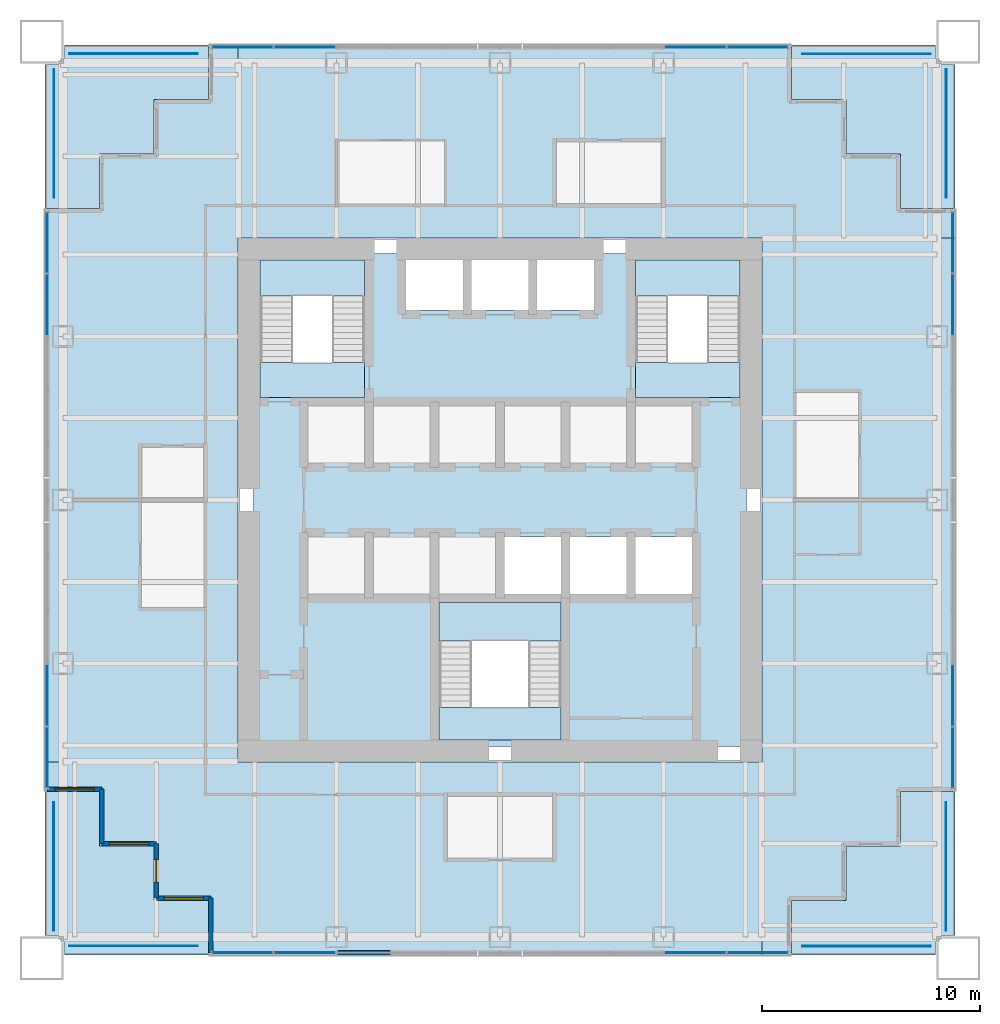
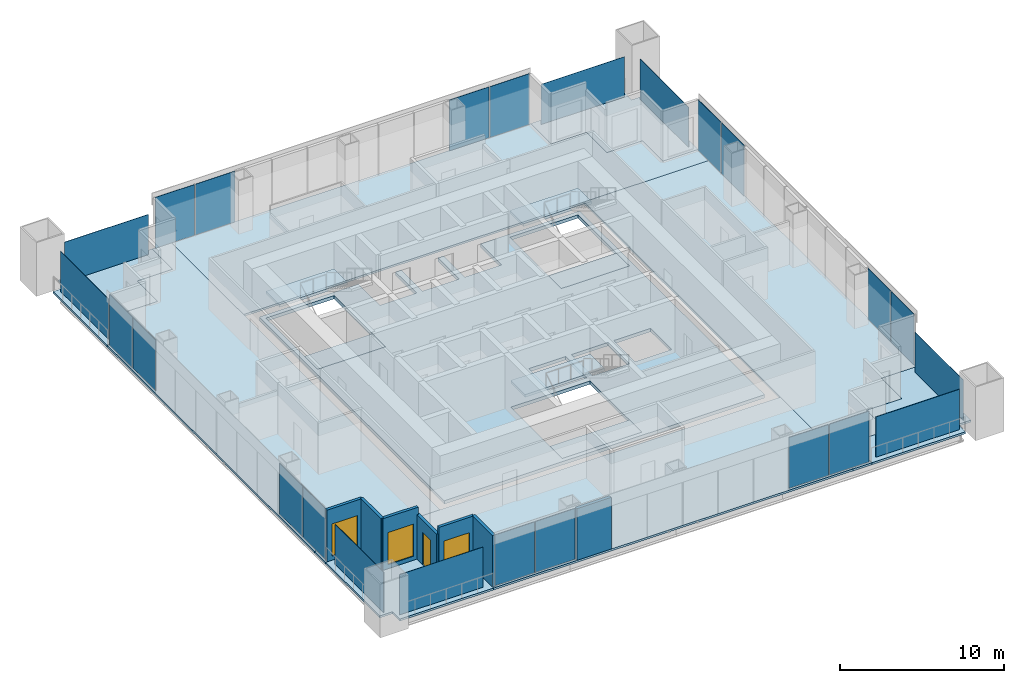
# One storey, part 8 of 14: 24 plates, 15 slabs, 7 walls, 3 windows, 1 door, 4 openings, 11 elements without a shape of their own.
"""IFC4 building model written with IfcOpenShell, lengths in metres."""

from ifc_helpers import new_model, si_unit, direction, frame, frame_2d, origin, origin_2d, place, context, subcontext, project, spatial, polyline, rectangle, outline, extrude, material, layer, layer_set, type_object, element, fill, aggregate, save


model = new_model("IFC4")

# Units and contexts
model_context = context("Model", 3, precision=1e-05, world=origin(), true_north=direction((0.0, 1.0)))
body_context = subcontext(model_context, "Body", "Model", "MODEL_VIEW")
ifc_project = project(units=[si_unit("LENGTHUNIT", "METRE"), si_unit("AREAUNIT", "SQUARE_METRE"), si_unit("VOLUMEUNIT", "CUBIC_METRE"), si_unit("PLANEANGLEUNIT", "RADIAN"), si_unit("MASSUNIT", "GRAM", prefix="KILO")], contexts=[model_context])

# Site, building, storey
site_placement = place(None, origin())
site = spatial("IfcSite", under=ifc_project, at=site_placement, CompositionType="ELEMENT")
building_placement = place(site_placement, origin())
building = spatial("IfcBuilding", under=site, at=building_placement, Name="Tarangal Relay Tower", CompositionType="ELEMENT")
storey_placement = place(building_placement, frame((0.0, 0.0, 279.89990234375)))
storey = spatial("IfcBuildingStorey", under=building, at=storey_placement, Name="L61", CompositionType="ELEMENT", Elevation=279.89990234375)

# Slabs
ifc_material_1 = material(Name="Concrete fc' 35 MPa", Category="concrete")
ifc_layer_1 = layer(ifc_material_1, 0.25)
ifc_layer_set_1 = layer_set([ifc_layer_1], Name="Core floor slab 250")
slab_type_1 = type_object("IfcSlabType", Name="Core floor slab 250", PredefinedType="FLOOR", material=ifc_layer_set_1)
slab_1_placement = place(storey_placement, frame((0.0, 0.0, -0.25)))
element("IfcSlab", 1, at=slab_1_placement, inside=storey, type_object=slab_type_1, Name="Core floor slab L61", PredefinedType="FLOOR", context=body_context, shape_type="SweptSolid", body=[
    extrude(outline(polyline([(11.300048828125, 11.300048828125), (11.300048828125, -11.300048828125), (-11.300048828125, -11.300048828125), (-11.300048828125, 11.300048828125), (-4.300048828125, 11.300048828125), (-4.300048828125, 8.699951171875), (-1.699951171875, 8.699951171875), (-1.699951171875, 11.300048828125), (-1.300048828125, 11.300048828125), (-1.300048828125, 8.699951171875), (1.300048828125, 8.699951171875), (1.300048828125, 11.300048828125), (1.699951171875, 11.300048828125), (1.699951171875, 8.699951171875), (4.300048828125, 8.699951171875), (4.300048828125, 11.300048828125), (11.300048828125, 11.300048828125)]), holes=[polyline([(2.800048828125, -4.699951171875), (-2.800048828125, -4.699951171875), (-2.800048828125, -11.0), (2.800048828125, -11.0), (2.800048828125, -4.699951171875)]), polyline([(2.800048828125, -1.699951171875), (0.199951171875, -1.699951171875), (0.199951171875, -4.300048828125), (2.800048828125, -4.300048828125), (2.800048828125, -1.699951171875)]), polyline([(5.800048828125, -1.699951171875), (3.199951171875, -1.699951171875), (3.199951171875, -4.300048828125), (5.800048828125, -4.300048828125), (5.800048828125, -1.699951171875)]), polyline([(8.800048828125, -1.699951171875), (6.199951171875, -1.699951171875), (6.199951171875, -4.300048828125), (8.800048828125, -4.300048828125), (8.800048828125, -1.699951171875)]), polyline([(-6.199951171875, 11.0), (-11.0, 11.0), (-11.0, 4.699951171875), (-6.199951171875, 4.699951171875), (-6.199951171875, 11.0)]), polyline([(11.0, 11.0), (6.199951171875, 11.0), (6.199951171875, 4.699951171875), (11.0, 4.699951171875), (11.0, 11.0)])]), origin(), (0.0, 0.0, 1.0), 0.25),
])
ifc_layer_2 = layer(ifc_material_1, 0.14990234375)
ifc_layer_set_2 = layer_set([ifc_layer_2], Name="Floor slab 150")
slab_type_2 = type_object("IfcSlabType", Name="Floor slab 150", PredefinedType="FLOOR", material=ifc_layer_set_2)
slab_2_placement = place(storey_placement, frame((0.0, 0.0, -0.14990234375)))
element("IfcSlab", 2, at=slab_2_placement, inside=storey, type_object=slab_type_2, Name="Floor slab FS3 L61 north bay", PredefinedType="FLOOR", context=body_context, shape_type="SweptSolid", body=[
    extrude(outline(polyline([(13.35009765625, 20.85009765625), (13.35009765625, 18.35009765625), (15.85009765625, 18.35009765625), (15.85009765625, 15.85009765625), (18.35009765625, 15.85009765625), (18.35009765625, 13.35009765625), (20.85009765625, 13.35009765625), (20.85009765625, 12.0), (-12.0, 12.0), (-12.0, 20.85009765625), (13.35009765625, 20.85009765625)])), origin(), (0.0, 0.0, 1.0), 0.14990234375),
])
slab_3_placement = place(storey_placement, frame((0.0, 0.0, -0.14990234375)))
element("IfcSlab", 3, at=slab_3_placement, inside=storey, type_object=slab_type_2, Name="Floor slab FS3 L61 east bay", PredefinedType="FLOOR", context=body_context, shape_type="SweptSolid", body=[
    extrude(outline(polyline([(20.85009765625, -13.35009765625), (18.35009765625, -13.35009765625), (18.35009765625, -15.85009765625), (15.85009765625, -15.85009765625), (15.85009765625, -18.35009765625), (13.35009765625, -18.35009765625), (13.35009765625, -20.85009765625), (12.0, -20.85009765625), (12.0, 12.0), (20.85009765625, 12.0), (20.85009765625, -13.35009765625)])), origin(), (0.0, 0.0, 1.0), 0.14990234375),
])
slab_4_placement = place(storey_placement, frame((0.0, 0.0, -0.14990234375)))
element("IfcSlab", 4, at=slab_4_placement, inside=storey, type_object=slab_type_2, Name="Floor slab FS3 L61 south bay", PredefinedType="FLOOR", context=body_context, shape_type="SweptSolid", body=[
    extrude(outline(polyline([(-13.35009765625, -20.85009765625), (-13.35009765625, -18.35009765625), (-15.85009765625, -18.35009765625), (-15.85009765625, -15.85009765625), (-18.35009765625, -15.85009765625), (-18.35009765625, -13.35009765625), (-20.85009765625, -13.35009765625), (-20.85009765625, -12.0), (12.0, -12.0), (12.0, -20.85009765625), (-13.35009765625, -20.85009765625)])), origin(), (0.0, 0.0, 1.0), 0.14990234375),
])
slab_5_placement = place(storey_placement, frame((0.0, 0.0, -0.14990234375)))
element("IfcSlab", 5, at=slab_5_placement, inside=storey, type_object=slab_type_2, Name="Floor slab FS3 L61 west bay", PredefinedType="FLOOR", context=body_context, shape_type="SweptSolid", body=[
    extrude(outline(polyline([(-12.0, 20.85009765625), (-12.0, -12.0), (-20.85009765625, -12.0), (-20.85009765625, 13.35009765625), (-18.35009765625, 13.35009765625), (-18.35009765625, 15.85009765625), (-15.85009765625, 15.85009765625), (-15.85009765625, 18.35009765625), (-13.35009765625, 18.35009765625), (-13.35009765625, 20.85009765625), (-12.0, 20.85009765625)])), origin(), (0.0, 0.0, 1.0), 0.14990234375),
])

# Curtain wall, plates
ifc_material_2 = material(Name="Unitised curtain wall, dark glass and black aluminium", Category="aluminium")
curtain_wall_type = type_object("IfcCurtainWallType", Name="Curtain wall CW-B", PredefinedType="USERDEFINED", material=ifc_material_2)
curtain_wall_1_placement = place(storey_placement, origin())
curtain_wall_1 = element("IfcCurtainWall", 6, at=curtain_wall_1_placement, inside=storey, type_object=curtain_wall_type, Name="Curtain wall CW-B N facade L61", ObjectType="UNITISED CURTAIN WALL", PredefinedType="USERDEFINED")
ifc_material_3 = material(Name="Dark tinted insulated glass unit", Category="glass")
ifc_layer_3 = layer(ifc_material_3, 0.030029296875)
ifc_layer_set_3 = layer_set([ifc_layer_3], Name="Glazed panel CW-B 30")
plate_type_1 = type_object("IfcPlateType", Name="Glazed panel CW-B 30", PredefinedType="CURTAIN_PANEL", material=ifc_layer_set_3)
plate_1_placement = place(storey_placement, frame((-11.797607421875, 20.75, 0.06005859375), z_axis=(0.0, 0.0, 1.0), x_axis=(1.0, 0.0, 0.0)))
plate_1 = element("IfcPlate", 7, at=plate_1_placement, type_object=plate_type_1, Name="CW-B panel 1.1", PredefinedType="CURTAIN_PANEL", context=body_context, shape_type="SweptSolid", body=[
    extrude(rectangle(XDim=2.784912109375, YDim=0.030029296875, at=origin_2d()), origin(), (0.0, 0.0, 1.0), 3.7900390625),
])
plate_2_placement = place(storey_placement, frame((-8.952392578125, 20.75, 0.06005859375), z_axis=(0.0, 0.0, 1.0), x_axis=(1.0, 0.0, 0.0)))
plate_2 = element("IfcPlate", 8, at=plate_2_placement, type_object=plate_type_1, Name="CW-B panel 2.1", PredefinedType="CURTAIN_PANEL", context=body_context, shape_type="SweptSolid", body=[
    extrude(rectangle(XDim=2.784912109375, YDim=0.030029296875, at=origin_2d()), origin(), (0.0, 0.0, 1.0), 3.7900390625),
])
aggregate(curtain_wall_1, [plate_1, plate_2])

curtain_wall_2_placement = place(storey_placement, origin())
curtain_wall_2 = element("IfcCurtainWall", 9, at=curtain_wall_2_placement, inside=storey, type_object=curtain_wall_type, Name="Curtain wall CW-B N facade L61", ObjectType="UNITISED CURTAIN WALL", PredefinedType="USERDEFINED")
plate_3_placement = place(storey_placement, frame((8.952392578125, 20.75, 0.06005859375), z_axis=(0.0, 0.0, 1.0), x_axis=(1.0, 0.0, 0.0)))
plate_3 = element("IfcPlate", 10, at=plate_3_placement, type_object=plate_type_1, Name="CW-B panel 1.1", PredefinedType="CURTAIN_PANEL", context=body_context, shape_type="SweptSolid", body=[
    extrude(rectangle(XDim=2.784912109375, YDim=0.030029296875, at=origin_2d()), origin(), (0.0, 0.0, 1.0), 3.7900390625),
])
plate_4_placement = place(storey_placement, frame((11.797607421875, 20.75, 0.06005859375), z_axis=(0.0, 0.0, 1.0), x_axis=(1.0, 0.0, 0.0)))
plate_4 = element("IfcPlate", 11, at=plate_4_placement, type_object=plate_type_1, Name="CW-B panel 2.1", PredefinedType="CURTAIN_PANEL", context=body_context, shape_type="SweptSolid", body=[
    extrude(rectangle(XDim=2.784912109375, YDim=0.030029296875, at=origin_2d()), origin(), (0.0, 0.0, 1.0), 3.7900390625),
])
aggregate(curtain_wall_2, [plate_3, plate_4])

curtain_wall_3_placement = place(storey_placement, origin())
curtain_wall_3 = element("IfcCurtainWall", 12, at=curtain_wall_3_placement, inside=storey, type_object=curtain_wall_type, Name="Curtain wall CW-B E facade L61", ObjectType="UNITISED CURTAIN WALL", PredefinedType="USERDEFINED")
plate_5_placement = place(storey_placement, frame((20.75, 11.797607421875, 0.06005859375), z_axis=(0.0, 0.0, 1.0), x_axis=(0.0, -1.0, 0.0)))
plate_5 = element("IfcPlate", 13, at=plate_5_placement, type_object=plate_type_1, Name="CW-B panel 1.1", PredefinedType="CURTAIN_PANEL", context=body_context, shape_type="SweptSolid", body=[
    extrude(rectangle(XDim=2.784912109375, YDim=0.030029296875, at=origin_2d()), origin(), (0.0, 0.0, 1.0), 3.7900390625),
])
plate_6_placement = place(storey_placement, frame((20.75, 8.952392578125, 0.06005859375), z_axis=(0.0, 0.0, 1.0), x_axis=(0.0, -1.0, 0.0)))
plate_6 = element("IfcPlate", 14, at=plate_6_placement, type_object=plate_type_1, Name="CW-B panel 2.1", PredefinedType="CURTAIN_PANEL", context=body_context, shape_type="SweptSolid", body=[
    extrude(rectangle(XDim=2.784912109375, YDim=0.030029296875, at=origin_2d()), origin(), (0.0, 0.0, 1.0), 3.7900390625),
])
aggregate(curtain_wall_3, [plate_5, plate_6])

curtain_wall_4_placement = place(storey_placement, origin())
curtain_wall_4 = element("IfcCurtainWall", 15, at=curtain_wall_4_placement, inside=storey, type_object=curtain_wall_type, Name="Curtain wall CW-B E facade L61", ObjectType="UNITISED CURTAIN WALL", PredefinedType="USERDEFINED")
plate_7_placement = place(storey_placement, frame((20.75, -8.952392578125, 0.06005859375), z_axis=(0.0, 0.0, 1.0), x_axis=(0.0, -1.0, 0.0)))
plate_7 = element("IfcPlate", 16, at=plate_7_placement, type_object=plate_type_1, Name="CW-B panel 1.1", PredefinedType="CURTAIN_PANEL", context=body_context, shape_type="SweptSolid", body=[
    extrude(rectangle(XDim=2.784912109375, YDim=0.030029296875, at=origin_2d()), origin(), (0.0, 0.0, 1.0), 3.7900390625),
])
plate_8_placement = place(storey_placement, frame((20.75, -11.797607421875, 0.06005859375), z_axis=(0.0, 0.0, 1.0), x_axis=(0.0, -1.0, 0.0)))
plate_8 = element("IfcPlate", 17, at=plate_8_placement, type_object=plate_type_1, Name="CW-B panel 2.1", PredefinedType="CURTAIN_PANEL", context=body_context, shape_type="SweptSolid", body=[
    extrude(rectangle(XDim=2.784912109375, YDim=0.030029296875, at=origin_2d()), origin(), (0.0, 0.0, 1.0), 3.7900390625),
])
aggregate(curtain_wall_4, [plate_7, plate_8])

curtain_wall_5_placement = place(storey_placement, origin())
curtain_wall_5 = element("IfcCurtainWall", 18, at=curtain_wall_5_placement, inside=storey, type_object=curtain_wall_type, Name="Curtain wall CW-B S facade L61", ObjectType="UNITISED CURTAIN WALL", PredefinedType="USERDEFINED")
plate_9_placement = place(storey_placement, frame((11.797607421875, -20.75, 0.06005859375), z_axis=(0.0, 0.0, 1.0), x_axis=(-1.0, 0.0, 0.0)))
plate_9 = element("IfcPlate", 19, at=plate_9_placement, type_object=plate_type_1, Name="CW-B panel 1.1", PredefinedType="CURTAIN_PANEL", context=body_context, shape_type="SweptSolid", body=[
    extrude(rectangle(XDim=2.784912109375, YDim=0.030029296875, at=origin_2d()), origin(), (0.0, 0.0, 1.0), 3.7900390625),
])
plate_10_placement = place(storey_placement, frame((8.952392578125, -20.75, 0.06005859375), z_axis=(0.0, 0.0, 1.0), x_axis=(-1.0, 0.0, 0.0)))
plate_10 = element("IfcPlate", 20, at=plate_10_placement, type_object=plate_type_1, Name="CW-B panel 2.1", PredefinedType="CURTAIN_PANEL", context=body_context, shape_type="SweptSolid", body=[
    extrude(rectangle(XDim=2.784912109375, YDim=0.030029296875, at=origin_2d()), origin(), (0.0, 0.0, 1.0), 3.7900390625),
])
aggregate(curtain_wall_5, [plate_9, plate_10])

curtain_wall_6_placement = place(storey_placement, origin())
curtain_wall_6 = element("IfcCurtainWall", 21, at=curtain_wall_6_placement, inside=storey, type_object=curtain_wall_type, Name="Curtain wall CW-B S facade L61", ObjectType="UNITISED CURTAIN WALL", PredefinedType="USERDEFINED")
plate_11_placement = place(storey_placement, frame((-8.952392578125, -20.75, 0.06005859375), z_axis=(0.0, 0.0, 1.0), x_axis=(-1.0, 0.0, 0.0)))
plate_11 = element("IfcPlate", 22, at=plate_11_placement, type_object=plate_type_1, Name="CW-B panel 1.1", PredefinedType="CURTAIN_PANEL", context=body_context, shape_type="SweptSolid", body=[
    extrude(rectangle(XDim=2.784912109375, YDim=0.030029296875, at=origin_2d()), origin(), (0.0, 0.0, 1.0), 3.7900390625),
])
plate_12_placement = place(storey_placement, frame((-11.797607421875, -20.75, 0.06005859375), z_axis=(0.0, 0.0, 1.0), x_axis=(-1.0, 0.0, 0.0)))
plate_12 = element("IfcPlate", 23, at=plate_12_placement, type_object=plate_type_1, Name="CW-B panel 2.1", PredefinedType="CURTAIN_PANEL", context=body_context, shape_type="SweptSolid", body=[
    extrude(rectangle(XDim=2.784912109375, YDim=0.030029296875, at=origin_2d()), origin(), (0.0, 0.0, 1.0), 3.7900390625),
])
aggregate(curtain_wall_6, [plate_11, plate_12])

curtain_wall_7_placement = place(storey_placement, origin())
curtain_wall_7 = element("IfcCurtainWall", 24, at=curtain_wall_7_placement, inside=storey, type_object=curtain_wall_type, Name="Curtain wall CW-B W facade L61", ObjectType="UNITISED CURTAIN WALL", PredefinedType="USERDEFINED")
plate_13_placement = place(storey_placement, frame((-20.75, -11.797607421875, 0.06005859375), z_axis=(0.0, 0.0, 1.0), x_axis=(0.0, 1.0, 0.0)))
plate_13 = element("IfcPlate", 25, at=plate_13_placement, type_object=plate_type_1, Name="CW-B panel 1.1", PredefinedType="CURTAIN_PANEL", context=body_context, shape_type="SweptSolid", body=[
    extrude(rectangle(XDim=2.784912109375, YDim=0.030029296875, at=origin_2d()), origin(), (0.0, 0.0, 1.0), 3.7900390625),
])
plate_14_placement = place(storey_placement, frame((-20.75, -8.952392578125, 0.06005859375), z_axis=(0.0, 0.0, 1.0), x_axis=(0.0, 1.0, 0.0)))
plate_14 = element("IfcPlate", 26, at=plate_14_placement, type_object=plate_type_1, Name="CW-B panel 2.1", PredefinedType="CURTAIN_PANEL", context=body_context, shape_type="SweptSolid", body=[
    extrude(rectangle(XDim=2.784912109375, YDim=0.030029296875, at=origin_2d()), origin(), (0.0, 0.0, 1.0), 3.7900390625),
])
aggregate(curtain_wall_7, [plate_13, plate_14])

curtain_wall_8_placement = place(storey_placement, origin())
curtain_wall_8 = element("IfcCurtainWall", 27, at=curtain_wall_8_placement, inside=storey, type_object=curtain_wall_type, Name="Curtain wall CW-B W facade L61", ObjectType="UNITISED CURTAIN WALL", PredefinedType="USERDEFINED")
plate_15_placement = place(storey_placement, frame((-20.75, 8.952392578125, 0.06005859375), z_axis=(0.0, 0.0, 1.0), x_axis=(0.0, 1.0, 0.0)))
plate_15 = element("IfcPlate", 28, at=plate_15_placement, type_object=plate_type_1, Name="CW-B panel 1.1", PredefinedType="CURTAIN_PANEL", context=body_context, shape_type="SweptSolid", body=[
    extrude(rectangle(XDim=2.784912109375, YDim=0.030029296875, at=origin_2d()), origin(), (0.0, 0.0, 1.0), 3.7900390625),
])
plate_16_placement = place(storey_placement, frame((-20.75, 11.797607421875, 0.06005859375), z_axis=(0.0, 0.0, 1.0), x_axis=(0.0, 1.0, 0.0)))
plate_16 = element("IfcPlate", 29, at=plate_16_placement, type_object=plate_type_1, Name="CW-B panel 2.1", PredefinedType="CURTAIN_PANEL", context=body_context, shape_type="SweptSolid", body=[
    extrude(rectangle(XDim=2.784912109375, YDim=0.030029296875, at=origin_2d()), origin(), (0.0, 0.0, 1.0), 3.7900390625),
])
aggregate(curtain_wall_8, [plate_15, plate_16])

# Plates
ifc_material_4 = material(Name="Black stainless steel cable trellis with climbing planting", Category="steel")
ifc_layer_4 = layer(ifc_material_4, 0.030029296875)
ifc_layer_set_4 = layer_set([ifc_layer_4], Name="Planted trellis screen")
plate_type_2 = type_object("IfcPlateType", Name="Planted trellis screen", PredefinedType="SHEET", material=ifc_layer_set_4)
for number, where, z_axis, x_axis, name in (
    (30, (20.449951171875, 16.800048828125, 0.0), (0.0, 0.0, 1.0), (0.0, -1.0, 0.0), "Planted trellis SC2 NE L61"),
    (31, (16.800048828125, -20.449951171875, 0.0), (0.0, 0.0, 1.0), (-1.0, 0.0, 0.0), "Planted trellis SC2 SE L61"),
    (32, (-20.449951171875, -16.800048828125, 0.0), (0.0, 0.0, 1.0), (0.0, 1.0, 0.0), "Planted trellis SC2 SW L61"),
    (33, (-16.800048828125, 20.449951171875, 0.0), (0.0, 0.0, 1.0), (1.0, 0.0, 0.0), "Planted trellis SC2 NW L61"),
):
    element("IfcPlate", number, at=place(storey_placement, frame(where, z_axis=z_axis, x_axis=x_axis)), inside=storey, type_object=plate_type_2, Name=name, PredefinedType="SHEET", context=body_context, shape_type="SweptSolid", body=[
        extrude(rectangle(XDim=5.89990234375, YDim=0.030029296875, at=origin_2d()), origin(), (0.0, 0.0, 1.0), 3.0),
    ])

# Stair, slabs
ifc_material_5 = material(Name="Steel ASTM A992 stair flight", Category="steel")
stair_type = type_object("IfcStairType", Name="Core stair 1500", PredefinedType="HALF_TURN_STAIR", material=ifc_material_5)
stair_1_placement = place(storey_placement, origin())
stair_1 = element("IfcStair", 34, at=stair_1_placement, inside=storey, type_object=stair_type, Name="Stair ST-A L61", PredefinedType="HALF_TURN_STAIR")
ifc_layer_5 = layer(ifc_material_1, 0.199951171875)
ifc_layer_set_5 = layer_set([ifc_layer_5], Name="Stair landing 200")
slab_type_3 = type_object("IfcSlabType", Name="Stair landing 200", PredefinedType="LANDING", material=ifc_layer_set_5)
slab_6_placement = place(storey_placement, frame((0.0, 0.0, -0.199951171875)))
slab_6 = element("IfcSlab", 35, at=slab_6_placement, type_object=slab_type_3, Name="ST-A landing 1", PredefinedType="LANDING", context=body_context, shape_type="SweptSolid", body=[
    extrude(outline(polyline([(-11.0, 4.699951171875), (-6.199951171875, 4.699951171875), (-6.199951171875, 6.300048828125), (-11.0, 6.300048828125), (-11.0, 4.699951171875)])), origin(), (0.0, 0.0, 1.0), 0.199951171875),
])
slab_7_placement = place(storey_placement, frame((0.0, 0.0, 1.800048828125)))
slab_7 = element("IfcSlab", 36, at=slab_7_placement, type_object=slab_type_3, Name="ST-A landing 2", PredefinedType="LANDING", context=body_context, shape_type="SweptSolid", body=[
    extrude(outline(polyline([(-11.0, 9.346923828125), (-6.199951171875, 9.346923828125), (-6.199951171875, 11.0), (-11.0, 11.0), (-11.0, 9.346923828125)])), origin(), (0.0, 0.0, 1.0), 0.199951171875),
])
aggregate(stair_1, [slab_6, slab_7])

stair_2_placement = place(storey_placement, origin())
stair_2 = element("IfcStair", 37, at=stair_2_placement, inside=storey, type_object=stair_type, Name="Stair ST-B L61", PredefinedType="HALF_TURN_STAIR")
slab_8_placement = place(storey_placement, frame((0.0, 0.0, -0.199951171875)))
slab_8 = element("IfcSlab", 38, at=slab_8_placement, type_object=slab_type_3, Name="ST-B landing 1", PredefinedType="LANDING", context=body_context, shape_type="SweptSolid", body=[
    extrude(outline(polyline([(6.199951171875, 4.699951171875), (11.0, 4.699951171875), (11.0, 6.300048828125), (6.199951171875, 6.300048828125), (6.199951171875, 4.699951171875)])), origin(), (0.0, 0.0, 1.0), 0.199951171875),
])
slab_9_placement = place(storey_placement, frame((0.0, 0.0, 1.800048828125)))
slab_9 = element("IfcSlab", 39, at=slab_9_placement, type_object=slab_type_3, Name="ST-B landing 2", PredefinedType="LANDING", context=body_context, shape_type="SweptSolid", body=[
    extrude(outline(polyline([(6.199951171875, 9.346923828125), (11.0, 9.346923828125), (11.0, 11.0), (6.199951171875, 11.0), (6.199951171875, 9.346923828125)])), origin(), (0.0, 0.0, 1.0), 0.199951171875),
])
aggregate(stair_2, [slab_8, slab_9])

stair_3_placement = place(storey_placement, origin())
stair_3 = element("IfcStair", 40, at=stair_3_placement, inside=storey, type_object=stair_type, Name="Stair ST-C L61", PredefinedType="HALF_TURN_STAIR")
slab_10_placement = place(storey_placement, frame((0.0, 0.0, -0.199951171875)))
slab_10 = element("IfcSlab", 41, at=slab_10_placement, type_object=slab_type_3, Name="ST-C landing 1", PredefinedType="LANDING", context=body_context, shape_type="SweptSolid", body=[
    extrude(outline(polyline([(-2.800048828125, -11.0), (2.800048828125, -11.0), (2.800048828125, -9.5), (-2.800048828125, -9.5), (-2.800048828125, -11.0)])), origin(), (0.0, 0.0, 1.0), 0.199951171875),
])
slab_11_placement = place(storey_placement, frame((0.0, 0.0, 1.800048828125)))
slab_11 = element("IfcSlab", 42, at=slab_11_placement, type_object=slab_type_3, Name="ST-C landing 2", PredefinedType="LANDING", context=body_context, shape_type="SweptSolid", body=[
    extrude(outline(polyline([(-2.800048828125, -6.452880859375), (2.800048828125, -6.452880859375), (2.800048828125, -4.699951171875), (-2.800048828125, -4.699951171875), (-2.800048828125, -6.452880859375)])), origin(), (0.0, 0.0, 1.0), 0.199951171875),
])
aggregate(stair_3, [slab_10, slab_11])

# Plates
ifc_material_6 = material(Name="Perforated black aluminium screen", Category="aluminium")
ifc_layer_6 = layer(ifc_material_6, 0.02001953125)
ifc_layer_set_6 = layer_set([ifc_layer_6], Name="Terrace screen panel")
plate_type_3 = type_object("IfcPlateType", Name="Terrace screen panel", PredefinedType="SHEET", material=ifc_layer_set_6)
for number, where, z_axis, x_axis, name in (
    (43, (16.800048828125, 20.449951171875, 0.0), (0.0, 0.0, 1.0), (1.0, 0.0, 0.0), "Terrace screen SC1 NE L61"),
    (44, (20.449951171875, -16.800048828125, 0.0), (0.0, 0.0, 1.0), (0.0, -1.0, 0.0), "Terrace screen SC1 SE L61"),
    (45, (-16.800048828125, -20.449951171875, 0.0), (0.0, 0.0, 1.0), (-1.0, 0.0, 0.0), "Terrace screen SC1 SW L61"),
    (46, (-20.449951171875, 16.800048828125, 0.0), (0.0, 0.0, 1.0), (0.0, 1.0, 0.0), "Terrace screen SC1 NW L61"),
):
    element("IfcPlate", number, at=place(storey_placement, frame(where, z_axis=z_axis, x_axis=x_axis)), inside=storey, type_object=plate_type_3, Name=name, PredefinedType="SHEET", context=body_context, shape_type="SweptSolid", body=[
        extrude(rectangle(XDim=5.89990234375, YDim=0.02001953125, at=origin_2d()), origin(), (0.0, 0.0, 1.0), 3.0),
    ])

# Slabs
ifc_layer_7 = layer(ifc_material_1, 0.14990234375)
ifc_layer_set_7 = layer_set([ifc_layer_7], Name="Terrace slab 150")
slab_type_4 = type_object("IfcSlabType", Name="Terrace slab 150", PredefinedType="FLOOR", material=ifc_layer_set_7)
slab_12_placement = place(storey_placement, frame((0.0, 0.0, -0.14990234375)))
element("IfcSlab", 47, at=slab_12_placement, inside=storey, type_object=slab_type_4, Name="Corner terrace NE L61", PredefinedType="FLOOR", context=body_context, shape_type="SweptSolid", body=[
    extrude(outline(polyline([(13.35009765625, 20.85009765625), (13.35009765625, 18.35009765625), (15.85009765625, 18.35009765625), (15.85009765625, 15.85009765625), (18.35009765625, 15.85009765625), (18.35009765625, 13.35009765625), (20.85009765625, 13.35009765625), (20.85009765625, 19.949951171875), (19.949951171875, 19.949951171875), (19.949951171875, 20.85009765625), (13.35009765625, 20.85009765625)])), origin(), (0.0, 0.0, 1.0), 0.14990234375),
])
slab_13_placement = place(storey_placement, frame((0.0, 0.0, -0.14990234375)))
element("IfcSlab", 48, at=slab_13_placement, inside=storey, type_object=slab_type_4, Name="Corner terrace SE L61", PredefinedType="FLOOR", context=body_context, shape_type="SweptSolid", body=[
    extrude(outline(polyline([(20.85009765625, -13.35009765625), (18.35009765625, -13.35009765625), (18.35009765625, -15.85009765625), (15.85009765625, -15.85009765625), (15.85009765625, -18.35009765625), (13.35009765625, -18.35009765625), (13.35009765625, -20.85009765625), (19.949951171875, -20.85009765625), (19.949951171875, -19.949951171875), (20.85009765625, -19.949951171875), (20.85009765625, -13.35009765625)])), origin(), (0.0, 0.0, 1.0), 0.14990234375),
])
slab_14_placement = place(storey_placement, frame((0.0, 0.0, -0.14990234375)))
element("IfcSlab", 49, at=slab_14_placement, inside=storey, type_object=slab_type_4, Name="Corner terrace SW L61", PredefinedType="FLOOR", context=body_context, shape_type="SweptSolid", body=[
    extrude(outline(polyline([(-13.35009765625, -20.85009765625), (-13.35009765625, -18.35009765625), (-15.85009765625, -18.35009765625), (-15.85009765625, -15.85009765625), (-18.35009765625, -15.85009765625), (-18.35009765625, -13.35009765625), (-20.85009765625, -13.35009765625), (-20.85009765625, -19.949951171875), (-19.949951171875, -19.949951171875), (-19.949951171875, -20.85009765625), (-13.35009765625, -20.85009765625)])), origin(), (0.0, 0.0, 1.0), 0.14990234375),
])
slab_15_placement = place(storey_placement, frame((0.0, 0.0, -0.14990234375)))
element("IfcSlab", 50, at=slab_15_placement, inside=storey, type_object=slab_type_4, Name="Corner terrace NW L61", PredefinedType="FLOOR", context=body_context, shape_type="SweptSolid", body=[
    extrude(outline(polyline([(-20.85009765625, 13.35009765625), (-18.35009765625, 13.35009765625), (-18.35009765625, 15.85009765625), (-15.85009765625, 15.85009765625), (-15.85009765625, 18.35009765625), (-13.35009765625, 18.35009765625), (-13.35009765625, 20.85009765625), (-19.949951171875, 20.85009765625), (-19.949951171875, 19.949951171875), (-20.85009765625, 19.949951171875), (-20.85009765625, 13.35009765625)])), origin(), (0.0, 0.0, 1.0), 0.14990234375),
])

# Wall
ifc_material_7 = material(Name="Black metal clad insulated wall", Category="steel")
ifc_layer_8 = layer(ifc_material_7, 0.199951171875)
ifc_layer_set_8 = layer_set([ifc_layer_8], Name="Corner wall metal clad 200")
wall_type_1 = type_object("IfcWallType", Name="Corner wall metal clad 200", PredefinedType="SOLIDWALL", material=ifc_layer_set_8)
wall_1_placement = place(storey_placement, frame((-13.25, -20.75, 0.0), z_axis=(0.0, 0.0, 1.0), x_axis=(0.0, 1.0, 0.0)))
element("IfcWall", 51, at=wall_1_placement, inside=storey, type_object=wall_type_1, Name="Facade wall S facade L61", PredefinedType="SOLIDWALL", context=body_context, shape_type="SweptSolid", body=[
    extrude(rectangle(XDim=2.5, YDim=0.199951171875, at=frame_2d((1.25, 0.0))), origin(), (0.0, 0.0, 1.0), 3.85009765625),
])

# Wall, opening, window
wall_2_placement = place(storey_placement, frame((-13.25, -18.25, 0.0), z_axis=(0.0, 0.0, 1.0), x_axis=(-1.0, 0.0, 0.0)))
wall_2 = element("IfcWall", 52, at=wall_2_placement, inside=storey, type_object=wall_type_1, Name="Facade wall S facade L61", PredefinedType="SOLIDWALL", context=body_context, shape_type="SweptSolid", body=[
    extrude(rectangle(XDim=2.5, YDim=0.199951171875, at=frame_2d((1.25, 0.0))), origin(), (0.0, 0.0, 1.0), 3.85009765625),
])
opening_1_placement = place(wall_2_placement, frame((0.35009765625, 0.0, 0.300048828125)))
opening_1 = element("IfcOpeningElement", 53, at=opening_1_placement, cuts=wall_2, Name="Opening WN2", PredefinedType="OPENING", context=body_context, shape_type="SweptSolid", body=[
    extrude(rectangle(XDim=1.800048828125, YDim=2.39990234375, at=frame_2d((0.89990234375, 1.199951171875))), frame((0.0, 0.10986328125, 0.0), z_axis=(0.0, -1.0, 0.0), x_axis=(1.0, 0.0, 0.0)), (0.0, 0.0, 1.0), 0.219970703125),
])
ifc_material_8 = material(Name="Dark tinted double glazing in black aluminium frame", Category="aluminium")
window_type = type_object("IfcWindowType", Name="Corner window 1800 x 2400", PartitioningType="SINGLE_PANEL", PredefinedType="WINDOW", material=ifc_material_8)
window_1_placement = place(opening_1_placement, origin())
window_1 = element("IfcWindow", 54, at=window_1_placement, inside=storey, type_object=window_type, Name="Corner window WN2 S facade L61", OverallHeight=2.39990234375, OverallWidth=1.800048828125, PartitioningType="SINGLE_PANEL", PredefinedType="WINDOW", context=body_context, shape_type="SweptSolid", body=[
    extrude(rectangle(XDim=1.800048828125, YDim=2.39990234375, at=frame_2d((0.89990234375, 1.199951171875))), frame((0.0, 0.030029296875, 0.0), z_axis=(0.0, -1.0, 0.0), x_axis=(1.0, 0.0, 0.0)), (0.0, 0.0, 1.0), 0.06005859375),
])
fill(opening_1, window_1)

# Wall, opening, door
wall_3_placement = place(storey_placement, frame((-15.75, -18.25, 0.0), z_axis=(0.0, 0.0, 1.0), x_axis=(0.0, 1.0, 0.0)))
wall_3 = element("IfcWall", 55, at=wall_3_placement, inside=storey, type_object=wall_type_1, Name="Facade wall S facade L61", PredefinedType="SOLIDWALL", context=body_context, shape_type="SweptSolid", body=[
    extrude(rectangle(XDim=2.5, YDim=0.199951171875, at=frame_2d((1.25, 0.0))), origin(), (0.0, 0.0, 1.0), 3.316650390625),
])
opening_2_placement = place(wall_3_placement, frame((0.75, 0.0, 0.0)))
opening_2 = element("IfcOpeningElement", 56, at=opening_2_placement, cuts=wall_3, Name="Opening TD1", PredefinedType="OPENING", context=body_context, shape_type="SweptSolid", body=[
    extrude(rectangle(XDim=1.0, YDim=2.39990234375, at=frame_2d((0.5, 1.199951171875))), frame((0.0, 0.10986328125, 0.0), z_axis=(0.0, -1.0, 0.0), x_axis=(1.0, 0.0, 0.0)), (0.0, 0.0, 1.0), 0.219970703125),
])
ifc_material_9 = material(Name="Aluminium glazed door", Category="aluminium")
door_type = type_object("IfcDoorType", Name="Terrace door 1000 x 2400", OperationType="SINGLE_SWING_RIGHT", PredefinedType="DOOR", material=ifc_material_9)
door_placement = place(opening_2_placement, origin())
door = element("IfcDoor", 57, at=door_placement, inside=storey, type_object=door_type, Name="Terrace door TD1 SW L61", OperationType="SINGLE_SWING_RIGHT", OverallHeight=2.39990234375, OverallWidth=1.0, PredefinedType="DOOR", context=body_context, shape_type="SweptSolid", body=[
    extrude(rectangle(XDim=1.0, YDim=2.39990234375, at=frame_2d((0.5, 1.199951171875))), frame((0.0, 0.02490234375, 0.0), z_axis=(0.0, -1.0, 0.0), x_axis=(1.0, 0.0, 0.0)), (0.0, 0.0, 1.0), 0.050048828125),
])
fill(opening_2, door)

# Wall, opening, window
wall_4_placement = place(storey_placement, frame((-15.75, -15.75, 0.0), z_axis=(0.0, 0.0, 1.0), x_axis=(-1.0, 0.0, 0.0)))
wall_4 = element("IfcWall", 58, at=wall_4_placement, inside=storey, type_object=wall_type_1, Name="Facade wall S facade L61", PredefinedType="SOLIDWALL", context=body_context, shape_type="SweptSolid", body=[
    extrude(rectangle(XDim=2.5, YDim=0.199951171875, at=frame_2d((1.25, 0.0))), origin(), (0.0, 0.0, 1.0), 3.85009765625),
])
opening_3_placement = place(wall_4_placement, frame((0.35009765625, 0.0, 0.300048828125)))
opening_3 = element("IfcOpeningElement", 59, at=opening_3_placement, cuts=wall_4, Name="Opening WN2", PredefinedType="OPENING", context=body_context, shape_type="SweptSolid", body=[
    extrude(rectangle(XDim=1.800048828125, YDim=2.39990234375, at=frame_2d((0.89990234375, 1.199951171875))), frame((0.0, 0.10986328125, 0.0), z_axis=(0.0, -1.0, 0.0), x_axis=(1.0, 0.0, 0.0)), (0.0, 0.0, 1.0), 0.219970703125),
])
window_2_placement = place(opening_3_placement, origin())
window_2 = element("IfcWindow", 60, at=window_2_placement, inside=storey, type_object=window_type, Name="Corner window WN2 S facade L61", OverallHeight=2.39990234375, OverallWidth=1.800048828125, PartitioningType="SINGLE_PANEL", PredefinedType="WINDOW", context=body_context, shape_type="SweptSolid", body=[
    extrude(rectangle(XDim=1.800048828125, YDim=2.39990234375, at=frame_2d((0.89990234375, 1.199951171875))), frame((0.0, 0.030029296875, 0.0), z_axis=(0.0, -1.0, 0.0), x_axis=(1.0, 0.0, 0.0)), (0.0, 0.0, 1.0), 0.06005859375),
])
fill(opening_3, window_2)

# Wall
wall_5_placement = place(storey_placement, frame((-18.25, -15.75, 0.0), z_axis=(0.0, 0.0, 1.0), x_axis=(0.0, 1.0, 0.0)))
element("IfcWall", 61, at=wall_5_placement, inside=storey, type_object=wall_type_1, Name="Facade wall S facade L61", PredefinedType="SOLIDWALL", context=body_context, shape_type="SweptSolid", body=[
    extrude(rectangle(XDim=2.5, YDim=0.199951171875, at=frame_2d((1.25, 0.0))), origin(), (0.0, 0.0, 1.0), 3.85009765625),
])

# Wall, opening, window
wall_6_placement = place(storey_placement, frame((-18.25, -13.25, 0.0), z_axis=(0.0, 0.0, 1.0), x_axis=(-1.0, 0.0, 0.0)))
wall_6 = element("IfcWall", 62, at=wall_6_placement, inside=storey, type_object=wall_type_1, Name="Facade wall S facade L61", PredefinedType="SOLIDWALL", context=body_context, shape_type="SweptSolid", body=[
    extrude(rectangle(XDim=2.5, YDim=0.199951171875, at=frame_2d((1.25, 0.0))), origin(), (0.0, 0.0, 1.0), 3.85009765625),
])
opening_4_placement = place(wall_6_placement, frame((0.35009765625, 0.0, 0.300048828125)))
opening_4 = element("IfcOpeningElement", 63, at=opening_4_placement, cuts=wall_6, Name="Opening WN2", PredefinedType="OPENING", context=body_context, shape_type="SweptSolid", body=[
    extrude(rectangle(XDim=1.800048828125, YDim=2.39990234375, at=frame_2d((0.89990234375, 1.199951171875))), frame((0.0, 0.10986328125, 0.0), z_axis=(0.0, -1.0, 0.0), x_axis=(1.0, 0.0, 0.0)), (0.0, 0.0, 1.0), 0.219970703125),
])
window_3_placement = place(opening_4_placement, origin())
window_3 = element("IfcWindow", 64, at=window_3_placement, inside=storey, type_object=window_type, Name="Corner window WN2 S facade L61", OverallHeight=2.39990234375, OverallWidth=1.800048828125, PartitioningType="SINGLE_PANEL", PredefinedType="WINDOW", context=body_context, shape_type="SweptSolid", body=[
    extrude(rectangle(XDim=1.800048828125, YDim=2.39990234375, at=frame_2d((0.89990234375, 1.199951171875))), frame((0.0, 0.030029296875, 0.0), z_axis=(0.0, -1.0, 0.0), x_axis=(1.0, 0.0, 0.0)), (0.0, 0.0, 1.0), 0.06005859375),
])
fill(opening_4, window_3)

# Wall
ifc_layer_9 = layer(ifc_material_7, 0.199951171875)
ifc_layer_set_9 = layer_set([ifc_layer_9], Name="Facade infill wall metal clad 200")
wall_type_2 = type_object("IfcWallType", Name="Facade infill wall metal clad 200", PredefinedType="SOLIDWALL", material=ifc_layer_set_9)
wall_7_placement = place(storey_placement, frame((-5.030029296875, -20.75, 0.0), z_axis=(0.0, 0.0, 1.0), x_axis=(-1.0, 0.0, 0.0)))
element("IfcWall", 65, at=wall_7_placement, inside=storey, type_object=wall_type_2, Name="Facade infill wall S facade L61 3.1", PredefinedType="SOLIDWALL", context=body_context, shape_type="SweptSolid", body=[
    extrude(rectangle(XDim=2.409912109375, YDim=0.199951171875, at=frame_2d((1.205078125, 0.0))), origin(), (0.0, 0.0, 1.0), 3.85009765625),
])

save(model, "model.ifc")
